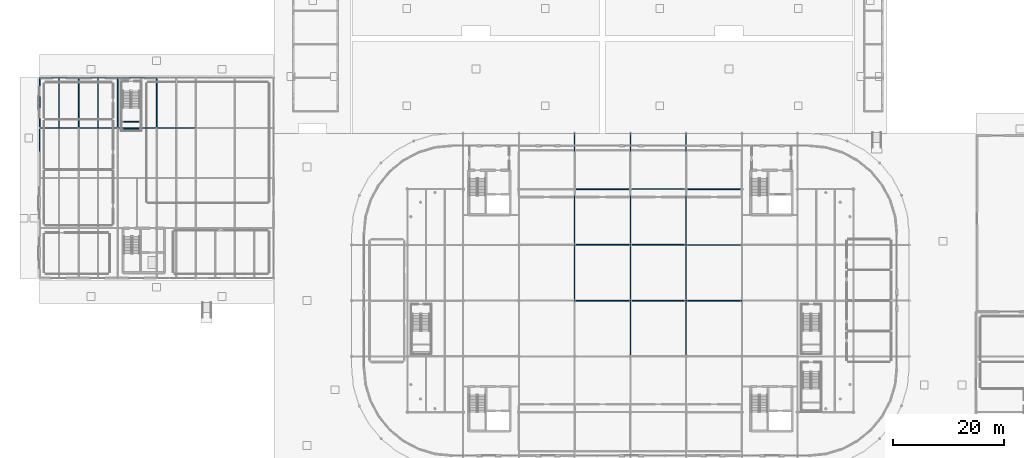
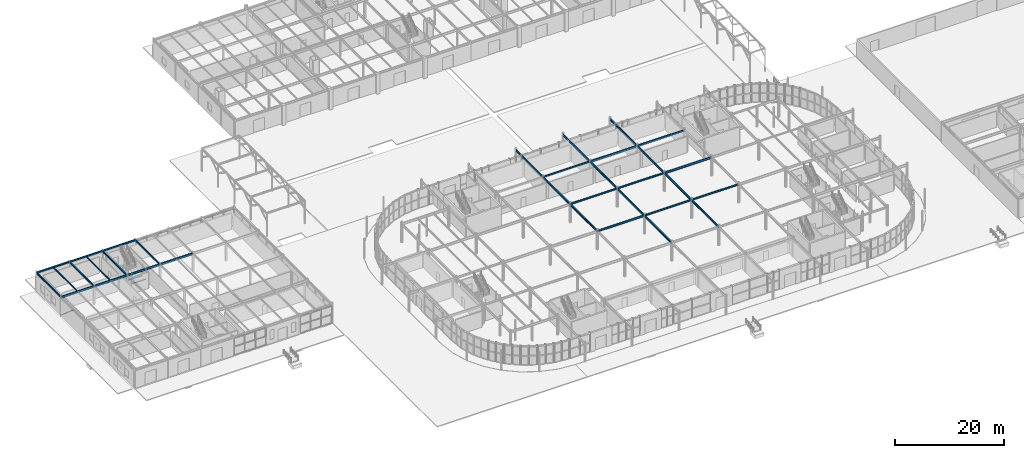
# One storey, part 56 of 119: 35 beams, 1 member.
"""IFC4 building model written with IfcOpenShell, lengths in metres."""

from ifc_helpers import new_model, si_unit, derived_unit, direction, frame, origin, origin_2d_with_axis, place, context, subcontext, project, spatial, hollow_rectangle, i_section, extrude, material, material_profile, profile_set, type_object, element, save


model = new_model("IFC4")

# Units and contexts
model_context = context("Model", 3, precision=1e-05, world=origin(), true_north=direction((0.0, 1.0)))
body_context = subcontext(model_context, "Body", "Model", "MODEL_VIEW")
ifc_project = project(units=[si_unit("LENGTHUNIT", "METRE"), si_unit("AREAUNIT", "SQUARE_METRE"), si_unit("VOLUMEUNIT", "CUBIC_METRE"), si_unit("PLANEANGLEUNIT", "RADIAN"), si_unit("MASSUNIT", "GRAM", prefix="KILO"), derived_unit("THERMALTRANSMITTANCEUNIT", [(si_unit("POWERUNIT", "WATT"), 1), (si_unit("LENGTHUNIT", "METRE"), -2), (si_unit("THERMODYNAMICTEMPERATUREUNIT", "KELVIN"), -1)])], contexts=[model_context])

# Site, building, storey
site_placement = place(None, origin())
site = spatial("IfcSite", under=ifc_project, at=site_placement, CompositionType="ELEMENT")
building_placement = place(site_placement, origin())
building = spatial("IfcBuilding", under=site, at=building_placement, Name="Cinnabar Yard Market Hall", CompositionType="ELEMENT")
storey_placement = place(building_placement, origin())
storey = spatial("IfcBuildingStorey", under=building, at=storey_placement, Name="L00", CompositionType="ELEMENT", Elevation=0.0)

# Beams
ifc_material_1 = material(Name="Steel Grade 300 (300 MPa)", Category="steel")
ifc_material_profile_1 = material_profile(ifc_material_1, i_section(OverallWidth=0.18994140625, OverallDepth=0.453857421875, WebThickness=0.008544921875, FlangeThickness=0.0126953125, FilletRadius=0.011474609375, at=origin_2d_with_axis()), Name="460UB67.1")
ifc_profile_set_1 = profile_set([ifc_material_profile_1], Name="Steel Grade 300 (300 MPa)")
beam_type_1 = type_object("IfcBeamType", Name="BM-B05", PredefinedType="BEAM", material=ifc_profile_set_1)
for number, where, z_axis, x_axis, name in (
    (1, (106.0, 44.0, 4.01318359375), (0.0, 1.0, 0.0), (-1.0, 0.0, 0.0), "L00 Gallery Girder Y 00223"),
    (2, (106.0, 54.0, 4.01318359375), (0.0, 1.0, 0.0), (-1.0, 0.0, 0.0), "L00 Gallery Girder Y 00224"),
    (3, (116.0, 34.0, 4.01318359375), (0.0, 1.0, 0.0), (-1.0, 0.0, 0.0), "L00 Gallery Girder Y 00226"),
    (4, (116.0, 44.0, 4.01318359375), (0.0, 1.0, 0.0), (-1.0, 0.0, 0.0), "L00 Gallery Girder Y 00227"),
    (5, (116.0, 54.0, 4.01318359375), (0.0, 1.0, 0.0), (-1.0, 0.0, 0.0), "L00 Gallery Girder Y 00228"),
    (6, (126.0, 34.0, 4.01318359375), (0.0, 1.0, 0.0), (-1.0, 0.0, 0.0), "L00 Gallery Girder Y 00230"),
    (7, (126.0, 44.0, 4.01318359375), (0.0, 1.0, 0.0), (-1.0, 0.0, 0.0), "L00 Gallery Girder Y 00231"),
    (8, (126.0, 54.0, 4.01318359375), (0.0, 1.0, 0.0), (-1.0, 0.0, 0.0), "L00 Gallery Girder Y 00232"),
):
    element("IfcBeam", number, at=place(storey_placement, frame(where, z_axis=z_axis, x_axis=x_axis)), inside=storey, type_object=beam_type_1, Name=name, PredefinedType="BEAM", context=body_context, shape_type="SweptSolid", body=[
        extrude(i_section(OverallWidth=0.18994140625, OverallDepth=0.453857421875, WebThickness=0.008544921875, FlangeThickness=0.0126953125, FilletRadius=0.011474609375, at=origin_2d_with_axis()), origin(), (0.0, 0.0, 1.0), 10.0),
    ])
for number, where, z_axis, x_axis, name in (
    (9, (10.0, 75.0, 4.01318359375), (1.0, 0.0, 0.0), (0.0, 1.0, 0.0), "V2 L00 Girder X 00637"),
    (10, (17.0, 75.0, 4.01318359375), (1.0, 0.0, 0.0), (0.0, 1.0, 0.0), "V2 L00 Girder X 00642"),
    (11, (24.0, 75.0, 4.01318359375), (1.0, 0.0, 0.0), (0.0, 1.0, 0.0), "V2 L00 Girder X 00647"),
    (12, (31.0, 75.0, 4.01318359375), (1.0, 0.0, 0.0), (0.0, 1.0, 0.0), "V2 L00 Girder X 00652"),
):
    element("IfcBeam", number, at=place(storey_placement, frame(where, z_axis=z_axis, x_axis=x_axis)), inside=storey, type_object=beam_type_1, Name=name, PredefinedType="BEAM", context=body_context, shape_type="SweptSolid", body=[
        extrude(i_section(OverallWidth=0.18994140625, OverallDepth=0.453857421875, WebThickness=0.008544921875, FlangeThickness=0.0126953125, FilletRadius=0.011474609375, at=origin_2d_with_axis()), origin(), (0.0, 0.0, 1.0), 7.0),
    ])
ifc_material_profile_2 = material_profile(ifc_material_1, i_section(OverallWidth=0.18994140625, OverallDepth=0.453857421875, WebThickness=0.008544921875, FlangeThickness=0.0126953125, FilletRadius=0.011474609375, at=origin_2d_with_axis()), Name="460UB67.1")
ifc_profile_set_2 = profile_set([ifc_material_profile_2], Name="Steel Grade 300 (300 MPa)")
beam_type_2 = type_object("IfcBeamType", Name="BM-B05E", PredefinedType="BEAM", material=ifc_profile_set_2)
for number, where, z_axis, x_axis, name in (
    (13, (106.0, 64.0, 4.01318359375), (0.0, 1.0, 0.0), (-1.0, 0.0, 0.0), "L00 Gallery North Tie 00187"),
    (14, (116.0, 64.0, 4.01318359375), (0.0, 1.0, 0.0), (-1.0, 0.0, 0.0), "L00 Gallery North Tie 00189"),
    (15, (126.0, 64.0, 4.01318359375), (0.0, 1.0, 0.0), (-1.0, 0.0, 0.0), "L00 Gallery North Tie 00191"),
):
    element("IfcBeam", number, at=place(storey_placement, frame(where, z_axis=z_axis, x_axis=x_axis)), inside=storey, type_object=beam_type_2, Name=name, PredefinedType="BEAM", context=body_context, shape_type="SweptSolid", body=[
        extrude(i_section(OverallWidth=0.18994140625, OverallDepth=0.453857421875, WebThickness=0.008544921875, FlangeThickness=0.0126953125, FilletRadius=0.011474609375, at=origin_2d_with_axis()), origin(), (0.0, 0.0, 1.0), 10.0),
    ])
ifc_material_profile_3 = material_profile(ifc_material_1, i_section(OverallWidth=0.177978515625, OverallDepth=0.406494140625, WebThickness=0.0078125, FlangeThickness=0.0126953125, FilletRadius=0.011474609375, at=origin_2d_with_axis()), Name="410UB59.7")
ifc_profile_set_3 = profile_set([ifc_material_profile_3], Name="Steel Grade 300 (300 MPa)")
beam_type_3 = type_object("IfcBeamType", Name="BM-B06", PredefinedType="BEAM", material=ifc_profile_set_3)
for number, where, z_axis, x_axis, name in (
    (16, (17.0, 75.0, 4.036865234375), (0.0, 1.0, 0.0), (-1.0, 0.0, 0.0), "V2 L00 Girder Y 00678"),
    (17, (24.0, 75.0, 4.036865234375), (0.0, 1.0, 0.0), (-1.0, 0.0, 0.0), "V2 L00 Girder Y 00684"),
    (18, (31.0, 75.0, 4.036865234375), (0.0, 1.0, 0.0), (-1.0, 0.0, 0.0), "V2 L00 Girder Y 00691"),
):
    element("IfcBeam", number, at=place(storey_placement, frame(where, z_axis=z_axis, x_axis=x_axis)), inside=storey, type_object=beam_type_3, Name=name, PredefinedType="BEAM", context=body_context, shape_type="SweptSolid", body=[
        extrude(i_section(OverallWidth=0.177978515625, OverallDepth=0.406494140625, WebThickness=0.0078125, FlangeThickness=0.0126953125, FilletRadius=0.011474609375, at=origin_2d_with_axis()), origin(), (0.0, 0.0, 1.0), 9.0),
    ])
ifc_material_profile_4 = material_profile(ifc_material_1, i_section(OverallWidth=0.177978515625, OverallDepth=0.402587890625, WebThickness=0.007568359375, FlangeThickness=0.010986328125, FilletRadius=0.011474609375, at=origin_2d_with_axis()), Name="410UB53.7")
ifc_profile_set_4 = profile_set([ifc_material_profile_4], Name="Steel Grade 300 (300 MPa)")
beam_type_4 = type_object("IfcBeamType", Name="BM-B09", PredefinedType="BEAM", material=ifc_profile_set_4)
beam_1_placement = place(storey_placement, frame((106.0, 44.0, 4.038818359375), z_axis=(1.0, 0.0, 0.0), x_axis=(0.0, 1.0, 0.0)))
element("IfcBeam", 19, at=beam_1_placement, inside=storey, type_object=beam_type_4, Name="L00 Gallery Girder X 00161", PredefinedType="BEAM", context=body_context, shape_type="SweptSolid", body=[
    extrude(i_section(OverallWidth=0.177978515625, OverallDepth=0.402587890625, WebThickness=0.007568359375, FlangeThickness=0.010986328125, FilletRadius=0.011474609375, at=origin_2d_with_axis()), origin(), (0.0, 0.0, 1.0), 10.0),
])
ifc_material_profile_5 = material_profile(ifc_material_1, i_section(OverallWidth=0.1708984375, OverallDepth=0.355712890625, WebThickness=0.00732421875, FlangeThickness=0.011474609375, FilletRadius=0.011474609375, at=origin_2d_with_axis()), Name="360UB50.7")
ifc_profile_set_5 = profile_set([ifc_material_profile_5], Name="Steel Grade 300 (300 MPa)")
beam_type_5 = type_object("IfcBeamType", Name="BM-B10", PredefinedType="BEAM", material=ifc_profile_set_5)
for number, where, z_axis, x_axis, name in (
    (20, (106.0, 54.0, 4.062255859375), (1.0, 0.0, 0.0), (0.0, 1.0, 0.0), "L00 Gallery Girder X 00162"),
    (21, (116.0, 44.0, 4.062255859375), (1.0, 0.0, 0.0), (0.0, 1.0, 0.0), "L00 Gallery Girder X 00166"),
):
    element("IfcBeam", number, at=place(storey_placement, frame(where, z_axis=z_axis, x_axis=x_axis)), inside=storey, type_object=beam_type_5, Name=name, PredefinedType="BEAM", context=body_context, shape_type="SweptSolid", body=[
        extrude(i_section(OverallWidth=0.1708984375, OverallDepth=0.355712890625, WebThickness=0.00732421875, FlangeThickness=0.011474609375, FilletRadius=0.011474609375, at=origin_2d_with_axis()), origin(), (0.0, 0.0, 1.0), 10.0),
    ])
ifc_material_profile_6 = material_profile(ifc_material_1, i_section(OverallWidth=0.1708984375, OverallDepth=0.35205078125, WebThickness=0.0068359375, FlangeThickness=0.009765625, FilletRadius=0.011474609375, at=origin_2d_with_axis()), Name="360UB44.7")
ifc_profile_set_6 = profile_set([ifc_material_profile_6], Name="Steel Grade 300 (300 MPa)")
beam_type_6 = type_object("IfcBeamType", Name="BM-B11", PredefinedType="BEAM", material=ifc_profile_set_6)
for number, where, z_axis, x_axis, name in (
    (22, (106.0, 64.0, 4.06396484375), (1.0, 0.0, 0.0), (0.0, 1.0, 0.0), "L00 Gallery Girder X 00163"),
    (23, (116.0, 54.0, 4.06396484375), (1.0, 0.0, 0.0), (0.0, 1.0, 0.0), "L00 Gallery Girder X 00167"),
    (24, (126.0, 44.0, 4.06396484375), (1.0, 0.0, 0.0), (0.0, 1.0, 0.0), "L00 Gallery Girder X 00171"),
):
    element("IfcBeam", number, at=place(storey_placement, frame(where, z_axis=z_axis, x_axis=x_axis)), inside=storey, type_object=beam_type_6, Name=name, PredefinedType="BEAM", context=body_context, shape_type="SweptSolid", body=[
        extrude(i_section(OverallWidth=0.1708984375, OverallDepth=0.35205078125, WebThickness=0.0068359375, FlangeThickness=0.009765625, FilletRadius=0.011474609375, at=origin_2d_with_axis()), origin(), (0.0, 0.0, 1.0), 10.0),
    ])
ifc_material_profile_7 = material_profile(ifc_material_1, i_section(OverallWidth=0.18994140625, OverallDepth=0.453857421875, WebThickness=0.008544921875, FlangeThickness=0.0126953125, FilletRadius=0.011474609375, at=origin_2d_with_axis()), Name="460UB67.1")
ifc_profile_set_7 = profile_set([ifc_material_profile_7], Name="Steel Grade 300 (300 MPa)")
beam_type_7 = type_object("IfcBeamType", Name="BM-B14", PredefinedType="BEAM", material=ifc_profile_set_7)
for number, where, z_axis, x_axis, name in (
    (25, (116.0, 64.0, 4.01318359375), (1.0, 0.0, 0.0), (0.0, 1.0, 0.0), "L00 Gallery Girder X 00168"),
    (26, (126.0, 54.0, 4.01318359375), (1.0, 0.0, 0.0), (0.0, 1.0, 0.0), "L00 Gallery Girder X 00172"),
):
    element("IfcBeam", number, at=place(storey_placement, frame(where, z_axis=z_axis, x_axis=x_axis)), inside=storey, type_object=beam_type_7, Name=name, PredefinedType="BEAM", context=body_context, shape_type="SweptSolid", body=[
        extrude(i_section(OverallWidth=0.18994140625, OverallDepth=0.453857421875, WebThickness=0.008544921875, FlangeThickness=0.0126953125, FilletRadius=0.011474609375, at=origin_2d_with_axis()), origin(), (0.0, 0.0, 1.0), 10.0),
    ])
ifc_material_profile_8 = material_profile(ifc_material_1, i_section(OverallWidth=0.177978515625, OverallDepth=0.402587890625, WebThickness=0.007568359375, FlangeThickness=0.010986328125, FilletRadius=0.011474609375, at=origin_2d_with_axis()), Name="410UB53.7")
ifc_profile_set_8 = profile_set([ifc_material_profile_8], Name="Steel Grade 300 (300 MPa)")
beam_type_8 = type_object("IfcBeamType", Name="BM-B15", PredefinedType="BEAM", material=ifc_profile_set_8)
beam_2_placement = place(storey_placement, frame((126.0, 64.0, 4.038818359375), z_axis=(1.0, 0.0, 0.0), x_axis=(0.0, 1.0, 0.0)))
element("IfcBeam", 27, at=beam_2_placement, inside=storey, type_object=beam_type_8, Name="L00 Gallery Girder X 00173", PredefinedType="BEAM", context=body_context, shape_type="SweptSolid", body=[
    extrude(i_section(OverallWidth=0.177978515625, OverallDepth=0.402587890625, WebThickness=0.007568359375, FlangeThickness=0.010986328125, FilletRadius=0.011474609375, at=origin_2d_with_axis()), origin(), (0.0, 0.0, 1.0), 10.0),
])
ifc_material_profile_9 = material_profile(ifc_material_1, i_section(OverallWidth=0.14599609375, OverallDepth=0.256103515625, WebThickness=0.00634765625, FlangeThickness=0.010986328125, FilletRadius=0.0087890625, at=origin_2d_with_axis()), Name="250UB37.3")
ifc_profile_set_9 = profile_set([ifc_material_profile_9], Name="Steel Grade 300 (300 MPa)")
beam_type_9 = type_object("IfcBeamType", Name="BM-J03", PredefinedType="JOIST", material=ifc_profile_set_9)
for number, where, z_axis, x_axis, name in (
    (28, (13.5, 75.074951171875, 4.11181640625), (0.0, 1.0, 0.0), (-1.0, 0.0, 0.0), "V2 L00 Joist 00671"),
    (29, (20.5, 75.074951171875, 4.11181640625), (0.0, 1.0, 0.0), (-1.0, 0.0, 0.0), "V2 L00 Joist 00679"),
):
    element("IfcBeam", number, at=place(storey_placement, frame(where, z_axis=z_axis, x_axis=x_axis)), inside=storey, type_object=beam_type_9, Name=name, PredefinedType="JOIST", context=body_context, shape_type="SweptSolid", body=[
        extrude(i_section(OverallWidth=0.14599609375, OverallDepth=0.256103515625, WebThickness=0.00634765625, FlangeThickness=0.010986328125, FilletRadius=0.0087890625, at=origin_2d_with_axis()), origin(), (0.0, 0.0, 1.0), 8.85009765625),
    ])
ifc_material_2 = material(Name="Cold-formed steel C350L0", Category="steel")
ifc_material_profile_10 = material_profile(ifc_material_2, hollow_rectangle(XDim=0.10009765625, YDim=0.199951171875, WallThickness=0.006103515625, InnerFilletRadius=0.006103515625, OuterFilletRadius=0.011962890625, at=origin_2d_with_axis()), Name="200x100x6.0RHS")
ifc_profile_set_10 = profile_set([ifc_material_profile_10], Name="Cold-formed steel C350L0")
beam_type_10 = type_object("IfcBeamType", Name="BM-LN01", PredefinedType="LINTEL", material=ifc_profile_set_10)
for number, where, z_axis, x_axis, name in (
    (30, (24.949951171875, 74.800048828125, 1.949951171875), (1.0, 0.0, 0.0), (0.0, 1.0, 0.0), "Feature Stair Landing Beam S ST-F3 L00"),
    (31, (24.949951171875, 76.10009765625, 1.949951171875), (1.0, 0.0, 0.0), (0.0, 1.0, 0.0), "Feature Stair Landing Beam N ST-F3 L00"),
):
    element("IfcBeam", number, at=place(storey_placement, frame(where, z_axis=z_axis, x_axis=x_axis)), inside=storey, type_object=beam_type_10, Name=name, PredefinedType="LINTEL", context=body_context, shape_type="SweptSolid", body=[
        extrude(hollow_rectangle(XDim=0.10009765625, YDim=0.199951171875, WallThickness=0.006103515625, InnerFilletRadius=0.006103515625, OuterFilletRadius=0.011962890625, at=origin_2d_with_axis()), origin(), (0.0, 0.0, 1.0), 3.0),
    ])
ifc_material_profile_11 = material_profile(ifc_material_1, i_section(OverallWidth=0.172119140625, OverallDepth=0.358642578125, WebThickness=0.008056640625, FlangeThickness=0.012939453125, FilletRadius=0.011474609375, at=origin_2d_with_axis()), Name="360UB56.7")
ifc_profile_set_11 = profile_set([ifc_material_profile_11], Name="Steel Grade 300 (300 MPa)")
beam_type_11 = type_object("IfcBeamType", Name="BM-SP02E", PredefinedType="SPANDREL", material=ifc_profile_set_11)
for number, where, z_axis, x_axis, name in (
    (32, (10.0, 84.0, 4.060791015625), (1.0, 0.0, 0.0), (0.0, 1.0, 0.0), "V2 L00 Girder X 00638"),
    (33, (17.0, 84.0, 4.060791015625), (1.0, 0.0, 0.0), (0.0, 1.0, 0.0), "V2 L00 Girder X 00643"),
    (34, (24.0, 84.0, 4.060791015625), (1.0, 0.0, 0.0), (0.0, 1.0, 0.0), "V2 L00 Girder X 00648"),
):
    element("IfcBeam", number, at=place(storey_placement, frame(where, z_axis=z_axis, x_axis=x_axis)), inside=storey, type_object=beam_type_11, Name=name, PredefinedType="SPANDREL", context=body_context, shape_type="SweptSolid", body=[
        extrude(i_section(OverallWidth=0.172119140625, OverallDepth=0.358642578125, WebThickness=0.008056640625, FlangeThickness=0.012939453125, FilletRadius=0.011474609375, at=origin_2d_with_axis()), origin(), (0.0, 0.0, 1.0), 7.0),
    ])
beam_3_placement = place(storey_placement, frame((10.0, 75.0, 4.060791015625), z_axis=(0.0, 1.0, 0.0), x_axis=(-1.0, 0.0, 0.0)))
element("IfcBeam", 35, at=beam_3_placement, inside=storey, type_object=beam_type_11, Name="V2 L00 Girder Y 00670", PredefinedType="SPANDREL", context=body_context, shape_type="SweptSolid", body=[
    extrude(i_section(OverallWidth=0.172119140625, OverallDepth=0.358642578125, WebThickness=0.008056640625, FlangeThickness=0.012939453125, FilletRadius=0.011474609375, at=origin_2d_with_axis()), origin(), (0.0, 0.0, 1.0), 9.0),
])

# Member
ifc_material_profile_12 = material_profile(ifc_material_2, hollow_rectangle(XDim=0.199951171875, YDim=0.199951171875, WallThickness=0.008056640625, InnerFilletRadius=0.008056640625, OuterFilletRadius=0.01611328125, at=origin_2d_with_axis()), Name="200x200x8.0SHS")
ifc_profile_set_12 = profile_set([ifc_material_profile_12], Name="Cold-formed steel C350L0")
member_type = type_object("IfcMemberType", Name="MB-BR01E", PredefinedType="BRACE", material=ifc_profile_set_12)
member_placement = place(storey_placement, frame((10.0, 75.0, 0.0), z_axis=(0.0, -0.759009474251, 0.651079578851), x_axis=(1.0, 0.0, 0.0)))
element("IfcMember", 36, at=member_placement, inside=storey, type_object=member_type, Name="Chevron Brace CBF-V2-W0 B", PredefinedType="BRACE", context=body_context, shape_type="SweptSolid", body=[
    extrude(hollow_rectangle(XDim=0.199951171875, YDim=0.199951171875, WallThickness=0.008056640625, InnerFilletRadius=0.008056640625, OuterFilletRadius=0.01611328125, at=origin_2d_with_axis()), origin(), (0.0, 0.0, 1.0), 5.9287109375),
])

save(model, "model.ifc")
